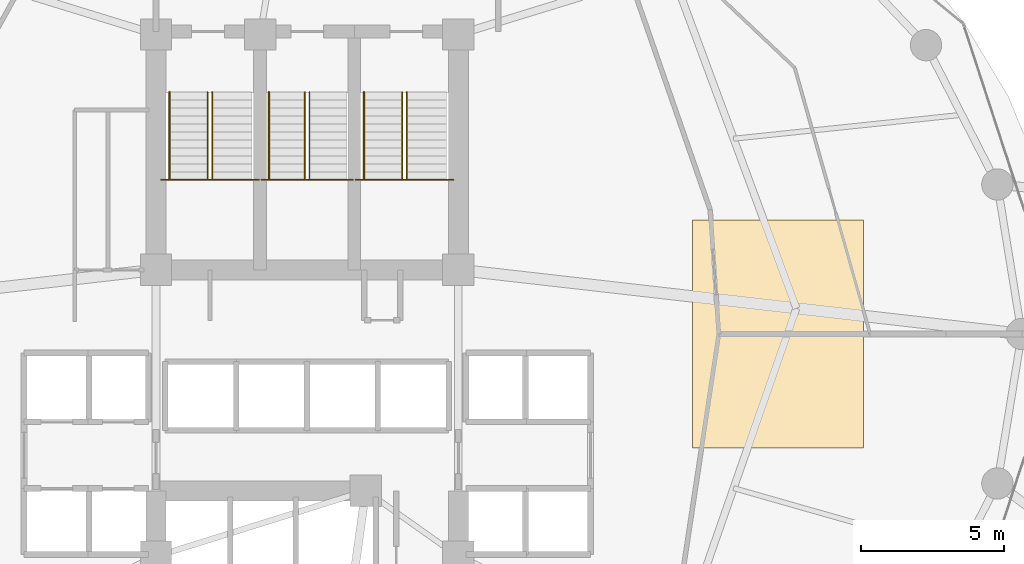
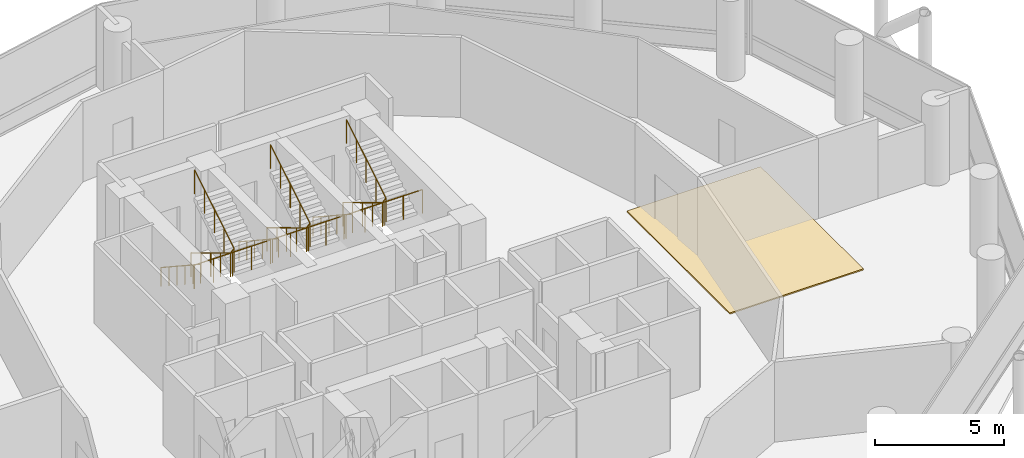
# One storey, part 24 of 24: 9 railings, 1 covering.
"""IFC4 building model written with IfcOpenShell, lengths in metres."""

from ifc_helpers import new_model, si_unit, direction, frame, origin, place, context, subcontext, project, spatial, polyline, outline, extrude, material, layer, layer_set, type_object, element, save


model = new_model("IFC4")

# Units and contexts
model_context = context("Model", 3, precision=1e-05, world=origin(), true_north=direction((0.0, 1.0)))
body_context = subcontext(model_context, "Body", "Model", "MODEL_VIEW")
ifc_project = project(units=[si_unit("LENGTHUNIT", "METRE"), si_unit("AREAUNIT", "SQUARE_METRE"), si_unit("VOLUMEUNIT", "CUBIC_METRE"), si_unit("PLANEANGLEUNIT", "RADIAN"), si_unit("MASSUNIT", "GRAM", prefix="KILO")], contexts=[model_context])

# Site, building, storey
site_placement = place(None, origin())
site = spatial("IfcSite", under=ifc_project, at=site_placement, CompositionType="ELEMENT")
building_placement = place(site_placement, origin())
building = spatial("IfcBuilding", under=site, at=building_placement, Name="Nuhasar Tower", CompositionType="ELEMENT")
storey_placement = place(building_placement, frame((0.0, 0.0, 69.60009765625)))
storey = spatial("IfcBuildingStorey", under=building, at=storey_placement, Name="L16", CompositionType="ELEMENT", Elevation=69.60009765625)

# Covering
ifc_material_1 = material(Name="Calcium Sulphate Tile", Category="gypsum")
ifc_layer = layer(ifc_material_1, 0.06005859375)
ifc_layer_set = layer_set([ifc_layer], Name="Calcium Sulphate Tile")
covering_type = type_object("IfcCoveringType", Name="COV-FLR-RAF120", PredefinedType="FLOORING", material=ifc_layer_set)
covering_placement = place(storey_placement, origin())
element("IfcCovering", 1, at=covering_placement, inside=storey, type_object=covering_type, Name="L16 Raised Access Floor Zone", PredefinedType="FLOORING", context=body_context, shape_type="SweptSolid", body=[
    extrude(outline(polyline([(52.5, 22.800048828125), (58.5, 22.800048828125), (58.5, 30.800048828125), (52.5, 30.800048828125), (52.5, 22.800048828125)])), origin(), (0.0, 0.0, 1.0), 0.059814453125),
])

# Railings
ifc_material_2 = material(Name="Steel S355", Category="steel")
railing_type_1 = type_object("IfcRailingType", Name="RLG-STAIR-GUARD-1150", PredefinedType="GUARDRAIL", material=ifc_material_2)
railing_1_placement = place(storey_placement, frame((33.8798828125, 32.205078125, 2.02490234375)))
element("IfcRailing", 2, at=railing_1_placement, inside=storey, type_object=railing_type_1, Name="L16 Stair ST-01 Guardrail LND", PredefinedType="GUARDRAIL", context=body_context, shape_type="SweptSolid", body=[
    extrude(outline(polyline([(0.024169921875, 0.0), (0.01708984375, 0.01708984375), (0.0, 0.024169921875), (-0.01708984375, 0.01708984375), (-0.024169921875, 0.0), (-0.01708984375, -0.01708984375), (0.0, -0.024169921875), (0.01708984375, -0.01708984375), (0.024169921875, 0.0)])), frame((0.0, 0.0, 1.1259765625), z_axis=(1.0, 0.0, 0.0), x_axis=(0.0, 1.0, 0.0)), (0.0, 0.0, 1.0), 3.420166015625),
    extrude(outline(polyline([(0.02099609375, 0.0), (0.014892578125, 0.014892578125), (0.0, 0.02099609375), (-0.014892578125, 0.014892578125), (-0.02099609375, 0.0), (-0.014892578125, -0.014892578125), (0.0, -0.02099609375), (0.014892578125, -0.014892578125), (0.02099609375, 0.0)])), origin(), (0.0, 0.0, 1.0), 1.101806640625),
    extrude(outline(polyline([(0.02099609375, 0.0), (0.014892578125, 0.014892578125), (0.0, 0.02099609375), (-0.014892578125, 0.014892578125), (-0.02099609375, 0.0), (-0.014892578125, -0.014892578125), (0.0, -0.02099609375), (0.014892578125, -0.014892578125), (0.02099609375, 0.0)])), frame((0.85498046875, 0.0, 0.0)), (0.0, 0.0, 1.0), 1.101806640625),
    extrude(outline(polyline([(0.02099609375, 0.0), (0.014892578125, 0.014892578125), (0.0, 0.02099609375), (-0.014892578125, 0.014892578125), (-0.02099609375, 0.0), (-0.014892578125, -0.014892578125), (0.0, -0.02099609375), (0.014892578125, -0.014892578125), (0.02099609375, 0.0)])), frame((1.7099609375, 0.0, 0.0)), (0.0, 0.0, 1.0), 1.101806640625),
    extrude(outline(polyline([(0.02099609375, 0.0), (0.014892578125, 0.014892578125), (0.0, 0.02099609375), (-0.014892578125, 0.014892578125), (-0.02099609375, 0.0), (-0.014892578125, -0.014892578125), (0.0, -0.02099609375), (0.014892578125, -0.014892578125), (0.02099609375, 0.0)])), frame((2.565185546875, 0.0, 0.0)), (0.0, 0.0, 1.0), 1.101806640625),
    extrude(outline(polyline([(0.02099609375, 0.0), (0.014892578125, 0.014892578125), (0.0, 0.02099609375), (-0.014892578125, 0.014892578125), (-0.02099609375, 0.0), (-0.014892578125, -0.014892578125), (0.0, -0.02099609375), (0.014892578125, -0.014892578125), (0.02099609375, 0.0)])), frame((3.420166015625, 0.0, 0.0)), (0.0, 0.0, 1.0), 1.101806640625),
])
railing_2_placement = place(storey_placement, frame((35.510009765625, 35.284912109375, 0.1689453125)))
element("IfcRailing", 3, at=railing_2_placement, inside=storey, type_object=railing_type_1, Name="L16 Stair ST-01 Guardrail SLT", PredefinedType="GUARDRAIL", context=body_context, shape_type="SweptSolid", body=[
    extrude(outline(polyline([(0.024169921875, 0.0), (0.01708984375, 0.01708984375), (0.0, 0.024169921875), (-0.01708984375, 0.01708984375), (-0.024169921875, 0.0), (-0.01708984375, -0.01708984375), (0.0, -0.024169921875), (0.01708984375, -0.01708984375), (0.024169921875, 0.0)])), frame((0.0, 0.0, 1.1259765625), z_axis=(0.0, -0.856502863198, 0.516142272377), x_axis=(1.0, 0.0, 0.0)), (0.0, 0.0, 1.0), 3.595703125),
    extrude(outline(polyline([(0.024169921875, 0.0), (0.01708984375, 0.01708984375), (0.0, 0.024169921875), (-0.01708984375, 0.01708984375), (-0.024169921875, 0.0), (-0.01708984375, -0.01708984375), (0.0, -0.024169921875), (0.01708984375, -0.01708984375), (0.024169921875, 0.0)])), frame((0.0, -3.079833984375, 2.98193359375), z_axis=(0.687424367727, 0.0, 0.726255973232), x_axis=(0.0, 1.0, 0.0)), (0.0, 0.0, 1.0), 0.232666015625),
    extrude(outline(polyline([(0.024169921875, 0.0), (0.01708984375, 0.01708984375), (0.0, 0.024169921875), (-0.01708984375, 0.01708984375), (-0.024169921875, 0.0), (-0.01708984375, -0.01708984375), (0.0, -0.024169921875), (0.01708984375, -0.01708984375), (0.024169921875, 0.0)])), frame((0.159912109375, -3.079833984375, 3.15087890625), z_axis=(0.0, 0.856502863198, 0.516142272377), x_axis=(-1.0, 0.0, 0.0)), (0.0, 0.0, 1.0), 3.595703125),
    extrude(outline(polyline([(0.02099609375, 0.0), (0.014892578125, 0.014892578125), (0.0, 0.02099609375), (-0.014892578125, 0.014892578125), (-0.02099609375, 0.0), (-0.014892578125, -0.014892578125), (0.0, -0.02099609375), (0.014892578125, -0.014892578125), (0.02099609375, 0.0)])), origin(), (0.0, 0.0, 1.0), 1.101806640625),
    extrude(outline(polyline([(0.02099609375, 0.0), (0.014892578125, 0.014892578125), (0.0, 0.02099609375), (-0.014892578125, 0.014892578125), (-0.02099609375, 0.0), (-0.014892578125, -0.014892578125), (0.0, -0.02099609375), (0.014892578125, -0.014892578125), (0.02099609375, 0.0)])), frame((0.0, -0.77001953125, 0.4638671875)), (0.0, 0.0, 1.0), 1.101806640625),
    extrude(outline(polyline([(0.02099609375, 0.0), (0.014892578125, 0.014892578125), (0.0, 0.02099609375), (-0.014892578125, 0.014892578125), (-0.02099609375, 0.0), (-0.014892578125, -0.014892578125), (0.0, -0.02099609375), (0.014892578125, -0.014892578125), (0.02099609375, 0.0)])), frame((0.0, -1.5400390625, 0.927978515625)), (0.0, 0.0, 1.0), 1.101806640625),
    extrude(outline(polyline([(0.02099609375, 0.0), (0.014892578125, 0.014892578125), (0.0, 0.02099609375), (-0.014892578125, 0.014892578125), (-0.02099609375, 0.0), (-0.014892578125, -0.014892578125), (0.0, -0.02099609375), (0.014892578125, -0.014892578125), (0.02099609375, 0.0)])), frame((0.0, -2.309814453125, 1.39208984375)), (0.0, 0.0, 1.0), 1.101806640625),
    extrude(outline(polyline([(0.02099609375, 0.0), (0.014892578125, 0.014892578125), (0.0, 0.02099609375), (-0.014892578125, 0.014892578125), (-0.02099609375, 0.0), (-0.014892578125, -0.014892578125), (0.0, -0.02099609375), (0.014892578125, -0.014892578125), (0.02099609375, 0.0)])), frame((0.0, -3.079833984375, 1.85595703125)), (0.0, 0.0, 1.0), 1.101806640625),
    extrude(outline(polyline([(0.02099609375, 0.0), (0.014892578125, 0.014892578125), (0.0, 0.02099609375), (-0.014892578125, 0.014892578125), (-0.02099609375, 0.0), (-0.014892578125, -0.014892578125), (0.0, -0.02099609375), (0.014892578125, -0.014892578125), (0.02099609375, 0.0)])), frame((0.159912109375, -3.079833984375, 2.02490234375)), (0.0, 0.0, 1.0), 1.101806640625),
    extrude(outline(polyline([(0.02099609375, 0.0), (0.014892578125, 0.014892578125), (0.0, 0.02099609375), (-0.014892578125, 0.014892578125), (-0.02099609375, 0.0), (-0.014892578125, -0.014892578125), (0.0, -0.02099609375), (0.014892578125, -0.014892578125), (0.02099609375, 0.0)])), frame((0.159912109375, -2.309814453125, 2.48876953125)), (0.0, 0.0, 1.0), 1.101806640625),
    extrude(outline(polyline([(0.02099609375, 0.0), (0.014892578125, 0.014892578125), (0.0, 0.02099609375), (-0.014892578125, 0.014892578125), (-0.02099609375, 0.0), (-0.014892578125, -0.014892578125), (0.0, -0.02099609375), (0.014892578125, -0.014892578125), (0.02099609375, 0.0)])), frame((0.159912109375, -1.5400390625, 2.952880859375)), (0.0, 0.0, 1.0), 1.101806640625),
    extrude(outline(polyline([(0.02099609375, 0.0), (0.014892578125, 0.014892578125), (0.0, 0.02099609375), (-0.014892578125, 0.014892578125), (-0.02099609375, 0.0), (-0.014892578125, -0.014892578125), (0.0, -0.02099609375), (0.014892578125, -0.014892578125), (0.02099609375, 0.0)])), frame((0.159912109375, -0.77001953125, 3.4169921875)), (0.0, 0.0, 1.0), 1.101806640625),
    extrude(outline(polyline([(0.02099609375, 0.0), (0.014892578125, 0.014892578125), (0.0, 0.02099609375), (-0.014892578125, 0.014892578125), (-0.02099609375, 0.0), (-0.014892578125, -0.014892578125), (0.0, -0.02099609375), (0.014892578125, -0.014892578125), (0.02099609375, 0.0)])), frame((0.159912109375, 0.0, 3.880859375)), (0.0, 0.0, 1.0), 1.101806640625),
])
railing_3_placement = place(storey_placement, frame((37.39990234375, 32.205078125, 2.02490234375)))
element("IfcRailing", 4, at=railing_3_placement, inside=storey, type_object=railing_type_1, Name="L16 Stair ST-03 Guardrail LND", PredefinedType="GUARDRAIL", context=body_context, shape_type="SweptSolid", body=[
    extrude(outline(polyline([(0.024169921875, 0.0), (0.01708984375, 0.01708984375), (0.0, 0.024169921875), (-0.01708984375, 0.01708984375), (-0.024169921875, 0.0), (-0.01708984375, -0.01708984375), (0.0, -0.024169921875), (0.01708984375, -0.01708984375), (0.024169921875, 0.0)])), frame((0.0, 0.0, 1.1259765625), z_axis=(1.0, 0.0, 0.0), x_axis=(0.0, 1.0, 0.0)), (0.0, 0.0, 1.0), 3.2001953125),
    extrude(outline(polyline([(0.02099609375, 0.0), (0.014892578125, 0.014892578125), (0.0, 0.02099609375), (-0.014892578125, 0.014892578125), (-0.02099609375, 0.0), (-0.014892578125, -0.014892578125), (0.0, -0.02099609375), (0.014892578125, -0.014892578125), (0.02099609375, 0.0)])), origin(), (0.0, 0.0, 1.0), 1.101806640625),
    extrude(outline(polyline([(0.02099609375, 0.0), (0.014892578125, 0.014892578125), (0.0, 0.02099609375), (-0.014892578125, 0.014892578125), (-0.02099609375, 0.0), (-0.014892578125, -0.014892578125), (0.0, -0.02099609375), (0.014892578125, -0.014892578125), (0.02099609375, 0.0)])), frame((0.800048828125, 0.0, 0.0)), (0.0, 0.0, 1.0), 1.101806640625),
    extrude(outline(polyline([(0.02099609375, 0.0), (0.014892578125, 0.014892578125), (0.0, 0.02099609375), (-0.014892578125, 0.014892578125), (-0.02099609375, 0.0), (-0.014892578125, -0.014892578125), (0.0, -0.02099609375), (0.014892578125, -0.014892578125), (0.02099609375, 0.0)])), frame((1.60009765625, 0.0, 0.0)), (0.0, 0.0, 1.0), 1.101806640625),
    extrude(outline(polyline([(0.02099609375, 0.0), (0.014892578125, 0.014892578125), (0.0, 0.02099609375), (-0.014892578125, 0.014892578125), (-0.02099609375, 0.0), (-0.014892578125, -0.014892578125), (0.0, -0.02099609375), (0.014892578125, -0.014892578125), (0.02099609375, 0.0)])), frame((2.400146484375, 0.0, 0.0)), (0.0, 0.0, 1.0), 1.101806640625),
    extrude(outline(polyline([(0.02099609375, 0.0), (0.014892578125, 0.014892578125), (0.0, 0.02099609375), (-0.014892578125, 0.014892578125), (-0.02099609375, 0.0), (-0.014892578125, -0.014892578125), (0.0, -0.02099609375), (0.014892578125, -0.014892578125), (0.02099609375, 0.0)])), frame((3.2001953125, 0.0, 0.0)), (0.0, 0.0, 1.0), 1.101806640625),
])
railing_4_placement = place(storey_placement, frame((38.919921875, 35.284912109375, 0.1689453125)))
element("IfcRailing", 5, at=railing_4_placement, inside=storey, type_object=railing_type_1, Name="L16 Stair ST-03 Guardrail SLT", PredefinedType="GUARDRAIL", context=body_context, shape_type="SweptSolid", body=[
    extrude(outline(polyline([(0.024169921875, 0.0), (0.01708984375, 0.01708984375), (0.0, 0.024169921875), (-0.01708984375, 0.01708984375), (-0.024169921875, 0.0), (-0.01708984375, -0.01708984375), (0.0, -0.024169921875), (0.01708984375, -0.01708984375), (0.024169921875, 0.0)])), frame((0.0, 0.0, 1.1259765625), z_axis=(0.0, -0.856502863198, 0.516142272377), x_axis=(1.0, 0.0, 0.0)), (0.0, 0.0, 1.0), 3.595703125),
    extrude(outline(polyline([(0.024169921875, 0.0), (0.01708984375, 0.01708984375), (0.0, 0.024169921875), (-0.01708984375, 0.01708984375), (-0.024169921875, 0.0), (-0.01708984375, -0.01708984375), (0.0, -0.024169921875), (0.01708984375, -0.01708984375), (0.024169921875, 0.0)])), frame((0.0, -3.079833984375, 2.98193359375), z_axis=(0.687977326998, 0.0, 0.725732180309), x_axis=(0.0, 1.0, 0.0)), (0.0, 0.0, 1.0), 0.23291015625),
    extrude(outline(polyline([(0.024169921875, 0.0), (0.01708984375, 0.01708984375), (0.0, 0.024169921875), (-0.01708984375, 0.01708984375), (-0.024169921875, 0.0), (-0.01708984375, -0.01708984375), (0.0, -0.024169921875), (0.01708984375, -0.01708984375), (0.024169921875, 0.0)])), frame((0.16015625, -3.079833984375, 3.15087890625), z_axis=(0.0, 0.856502863198, 0.516142272377), x_axis=(-1.0, 0.0, 0.0)), (0.0, 0.0, 1.0), 3.595703125),
    extrude(outline(polyline([(0.02099609375, 0.0), (0.014892578125, 0.014892578125), (0.0, 0.02099609375), (-0.014892578125, 0.014892578125), (-0.02099609375, 0.0), (-0.014892578125, -0.014892578125), (0.0, -0.02099609375), (0.014892578125, -0.014892578125), (0.02099609375, 0.0)])), origin(), (0.0, 0.0, 1.0), 1.101806640625),
    extrude(outline(polyline([(0.02099609375, 0.0), (0.014892578125, 0.014892578125), (0.0, 0.02099609375), (-0.014892578125, 0.014892578125), (-0.02099609375, 0.0), (-0.014892578125, -0.014892578125), (0.0, -0.02099609375), (0.014892578125, -0.014892578125), (0.02099609375, 0.0)])), frame((0.0, -0.77001953125, 0.4638671875)), (0.0, 0.0, 1.0), 1.101806640625),
    extrude(outline(polyline([(0.02099609375, 0.0), (0.014892578125, 0.014892578125), (0.0, 0.02099609375), (-0.014892578125, 0.014892578125), (-0.02099609375, 0.0), (-0.014892578125, -0.014892578125), (0.0, -0.02099609375), (0.014892578125, -0.014892578125), (0.02099609375, 0.0)])), frame((0.0, -1.5400390625, 0.927978515625)), (0.0, 0.0, 1.0), 1.101806640625),
    extrude(outline(polyline([(0.02099609375, 0.0), (0.014892578125, 0.014892578125), (0.0, 0.02099609375), (-0.014892578125, 0.014892578125), (-0.02099609375, 0.0), (-0.014892578125, -0.014892578125), (0.0, -0.02099609375), (0.014892578125, -0.014892578125), (0.02099609375, 0.0)])), frame((0.0, -2.309814453125, 1.39208984375)), (0.0, 0.0, 1.0), 1.101806640625),
    extrude(outline(polyline([(0.02099609375, 0.0), (0.014892578125, 0.014892578125), (0.0, 0.02099609375), (-0.014892578125, 0.014892578125), (-0.02099609375, 0.0), (-0.014892578125, -0.014892578125), (0.0, -0.02099609375), (0.014892578125, -0.014892578125), (0.02099609375, 0.0)])), frame((0.0, -3.079833984375, 1.85595703125)), (0.0, 0.0, 1.0), 1.101806640625),
    extrude(outline(polyline([(0.02099609375, 0.0), (0.014892578125, 0.014892578125), (0.0, 0.02099609375), (-0.014892578125, 0.014892578125), (-0.02099609375, 0.0), (-0.014892578125, -0.014892578125), (0.0, -0.02099609375), (0.014892578125, -0.014892578125), (0.02099609375, 0.0)])), frame((0.16015625, -3.079833984375, 2.02490234375)), (0.0, 0.0, 1.0), 1.101806640625),
    extrude(outline(polyline([(0.02099609375, 0.0), (0.014892578125, 0.014892578125), (0.0, 0.02099609375), (-0.014892578125, 0.014892578125), (-0.02099609375, 0.0), (-0.014892578125, -0.014892578125), (0.0, -0.02099609375), (0.014892578125, -0.014892578125), (0.02099609375, 0.0)])), frame((0.16015625, -2.309814453125, 2.48876953125)), (0.0, 0.0, 1.0), 1.101806640625),
    extrude(outline(polyline([(0.02099609375, 0.0), (0.014892578125, 0.014892578125), (0.0, 0.02099609375), (-0.014892578125, 0.014892578125), (-0.02099609375, 0.0), (-0.014892578125, -0.014892578125), (0.0, -0.02099609375), (0.014892578125, -0.014892578125), (0.02099609375, 0.0)])), frame((0.16015625, -1.5400390625, 2.952880859375)), (0.0, 0.0, 1.0), 1.101806640625),
    extrude(outline(polyline([(0.02099609375, 0.0), (0.014892578125, 0.014892578125), (0.0, 0.02099609375), (-0.014892578125, 0.014892578125), (-0.02099609375, 0.0), (-0.014892578125, -0.014892578125), (0.0, -0.02099609375), (0.014892578125, -0.014892578125), (0.02099609375, 0.0)])), frame((0.16015625, -0.77001953125, 3.4169921875)), (0.0, 0.0, 1.0), 1.101806640625),
    extrude(outline(polyline([(0.02099609375, 0.0), (0.014892578125, 0.014892578125), (0.0, 0.02099609375), (-0.014892578125, 0.014892578125), (-0.02099609375, 0.0), (-0.014892578125, -0.014892578125), (0.0, -0.02099609375), (0.014892578125, -0.014892578125), (0.02099609375, 0.0)])), frame((0.16015625, 0.0, 3.880859375)), (0.0, 0.0, 1.0), 1.101806640625),
])
railing_5_placement = place(storey_placement, frame((40.699951171875, 32.205078125, 2.02490234375)))
element("IfcRailing", 6, at=railing_5_placement, inside=storey, type_object=railing_type_1, Name="L16 Stair ST-02 Guardrail LND", PredefinedType="GUARDRAIL", context=body_context, shape_type="SweptSolid", body=[
    extrude(outline(polyline([(0.024169921875, 0.0), (0.01708984375, 0.01708984375), (0.0, 0.024169921875), (-0.01708984375, 0.01708984375), (-0.024169921875, 0.0), (-0.01708984375, -0.01708984375), (0.0, -0.024169921875), (0.01708984375, -0.01708984375), (0.024169921875, 0.0)])), frame((0.0, 0.0, 1.1259765625), z_axis=(1.0, 0.0, 0.0), x_axis=(0.0, 1.0, 0.0)), (0.0, 0.0, 1.0), 3.420166015625),
    extrude(outline(polyline([(0.02099609375, 0.0), (0.014892578125, 0.014892578125), (0.0, 0.02099609375), (-0.014892578125, 0.014892578125), (-0.02099609375, 0.0), (-0.014892578125, -0.014892578125), (0.0, -0.02099609375), (0.014892578125, -0.014892578125), (0.02099609375, 0.0)])), origin(), (0.0, 0.0, 1.0), 1.101806640625),
    extrude(outline(polyline([(0.02099609375, 0.0), (0.014892578125, 0.014892578125), (0.0, 0.02099609375), (-0.014892578125, 0.014892578125), (-0.02099609375, 0.0), (-0.014892578125, -0.014892578125), (0.0, -0.02099609375), (0.014892578125, -0.014892578125), (0.02099609375, 0.0)])), frame((0.85498046875, 0.0, 0.0)), (0.0, 0.0, 1.0), 1.101806640625),
    extrude(outline(polyline([(0.02099609375, 0.0), (0.014892578125, 0.014892578125), (0.0, 0.02099609375), (-0.014892578125, 0.014892578125), (-0.02099609375, 0.0), (-0.014892578125, -0.014892578125), (0.0, -0.02099609375), (0.014892578125, -0.014892578125), (0.02099609375, 0.0)])), frame((1.7099609375, 0.0, 0.0)), (0.0, 0.0, 1.0), 1.101806640625),
    extrude(outline(polyline([(0.02099609375, 0.0), (0.014892578125, 0.014892578125), (0.0, 0.02099609375), (-0.014892578125, 0.014892578125), (-0.02099609375, 0.0), (-0.014892578125, -0.014892578125), (0.0, -0.02099609375), (0.014892578125, -0.014892578125), (0.02099609375, 0.0)])), frame((2.565185546875, 0.0, 0.0)), (0.0, 0.0, 1.0), 1.101806640625),
    extrude(outline(polyline([(0.02099609375, 0.0), (0.014892578125, 0.014892578125), (0.0, 0.02099609375), (-0.014892578125, 0.014892578125), (-0.02099609375, 0.0), (-0.014892578125, -0.014892578125), (0.0, -0.02099609375), (0.014892578125, -0.014892578125), (0.02099609375, 0.0)])), frame((3.420166015625, 0.0, 0.0)), (0.0, 0.0, 1.0), 1.101806640625),
])
railing_6_placement = place(storey_placement, frame((42.330078125, 35.284912109375, 0.1689453125)))
element("IfcRailing", 7, at=railing_6_placement, inside=storey, type_object=railing_type_1, Name="L16 Stair ST-02 Guardrail SLT", PredefinedType="GUARDRAIL", context=body_context, shape_type="SweptSolid", body=[
    extrude(outline(polyline([(0.024169921875, 0.0), (0.01708984375, 0.01708984375), (0.0, 0.024169921875), (-0.01708984375, 0.01708984375), (-0.024169921875, 0.0), (-0.01708984375, -0.01708984375), (0.0, -0.024169921875), (0.01708984375, -0.01708984375), (0.024169921875, 0.0)])), frame((0.0, 0.0, 1.1259765625), z_axis=(0.0, -0.856502863198, 0.516142272377), x_axis=(1.0, 0.0, 0.0)), (0.0, 0.0, 1.0), 3.595703125),
    extrude(outline(polyline([(0.024169921875, 0.0), (0.01708984375, 0.01708984375), (0.0, 0.024169921875), (-0.01708984375, 0.01708984375), (-0.024169921875, 0.0), (-0.01708984375, -0.01708984375), (0.0, -0.024169921875), (0.01708984375, -0.01708984375), (0.024169921875, 0.0)])), frame((0.0, -3.079833984375, 2.98193359375), z_axis=(0.687424367727, 0.0, 0.726255973232), x_axis=(0.0, 1.0, 0.0)), (0.0, 0.0, 1.0), 0.232666015625),
    extrude(outline(polyline([(0.024169921875, 0.0), (0.01708984375, 0.01708984375), (0.0, 0.024169921875), (-0.01708984375, 0.01708984375), (-0.024169921875, 0.0), (-0.01708984375, -0.01708984375), (0.0, -0.024169921875), (0.01708984375, -0.01708984375), (0.024169921875, 0.0)])), frame((0.159912109375, -3.079833984375, 3.15087890625), z_axis=(0.0, 0.856502863198, 0.516142272377), x_axis=(-1.0, 0.0, 0.0)), (0.0, 0.0, 1.0), 3.595703125),
    extrude(outline(polyline([(0.02099609375, 0.0), (0.014892578125, 0.014892578125), (0.0, 0.02099609375), (-0.014892578125, 0.014892578125), (-0.02099609375, 0.0), (-0.014892578125, -0.014892578125), (0.0, -0.02099609375), (0.014892578125, -0.014892578125), (0.02099609375, 0.0)])), origin(), (0.0, 0.0, 1.0), 1.101806640625),
    extrude(outline(polyline([(0.02099609375, 0.0), (0.014892578125, 0.014892578125), (0.0, 0.02099609375), (-0.014892578125, 0.014892578125), (-0.02099609375, 0.0), (-0.014892578125, -0.014892578125), (0.0, -0.02099609375), (0.014892578125, -0.014892578125), (0.02099609375, 0.0)])), frame((0.0, -0.77001953125, 0.4638671875)), (0.0, 0.0, 1.0), 1.101806640625),
    extrude(outline(polyline([(0.02099609375, 0.0), (0.014892578125, 0.014892578125), (0.0, 0.02099609375), (-0.014892578125, 0.014892578125), (-0.02099609375, 0.0), (-0.014892578125, -0.014892578125), (0.0, -0.02099609375), (0.014892578125, -0.014892578125), (0.02099609375, 0.0)])), frame((0.0, -1.5400390625, 0.927978515625)), (0.0, 0.0, 1.0), 1.101806640625),
    extrude(outline(polyline([(0.02099609375, 0.0), (0.014892578125, 0.014892578125), (0.0, 0.02099609375), (-0.014892578125, 0.014892578125), (-0.02099609375, 0.0), (-0.014892578125, -0.014892578125), (0.0, -0.02099609375), (0.014892578125, -0.014892578125), (0.02099609375, 0.0)])), frame((0.0, -2.309814453125, 1.39208984375)), (0.0, 0.0, 1.0), 1.101806640625),
    extrude(outline(polyline([(0.02099609375, 0.0), (0.014892578125, 0.014892578125), (0.0, 0.02099609375), (-0.014892578125, 0.014892578125), (-0.02099609375, 0.0), (-0.014892578125, -0.014892578125), (0.0, -0.02099609375), (0.014892578125, -0.014892578125), (0.02099609375, 0.0)])), frame((0.0, -3.079833984375, 1.85595703125)), (0.0, 0.0, 1.0), 1.101806640625),
    extrude(outline(polyline([(0.02099609375, 0.0), (0.014892578125, 0.014892578125), (0.0, 0.02099609375), (-0.014892578125, 0.014892578125), (-0.02099609375, 0.0), (-0.014892578125, -0.014892578125), (0.0, -0.02099609375), (0.014892578125, -0.014892578125), (0.02099609375, 0.0)])), frame((0.159912109375, -3.079833984375, 2.02490234375)), (0.0, 0.0, 1.0), 1.101806640625),
    extrude(outline(polyline([(0.02099609375, 0.0), (0.014892578125, 0.014892578125), (0.0, 0.02099609375), (-0.014892578125, 0.014892578125), (-0.02099609375, 0.0), (-0.014892578125, -0.014892578125), (0.0, -0.02099609375), (0.014892578125, -0.014892578125), (0.02099609375, 0.0)])), frame((0.159912109375, -2.309814453125, 2.48876953125)), (0.0, 0.0, 1.0), 1.101806640625),
    extrude(outline(polyline([(0.02099609375, 0.0), (0.014892578125, 0.014892578125), (0.0, 0.02099609375), (-0.014892578125, 0.014892578125), (-0.02099609375, 0.0), (-0.014892578125, -0.014892578125), (0.0, -0.02099609375), (0.014892578125, -0.014892578125), (0.02099609375, 0.0)])), frame((0.159912109375, -1.5400390625, 2.952880859375)), (0.0, 0.0, 1.0), 1.101806640625),
    extrude(outline(polyline([(0.02099609375, 0.0), (0.014892578125, 0.014892578125), (0.0, 0.02099609375), (-0.014892578125, 0.014892578125), (-0.02099609375, 0.0), (-0.014892578125, -0.014892578125), (0.0, -0.02099609375), (0.014892578125, -0.014892578125), (0.02099609375, 0.0)])), frame((0.159912109375, -0.77001953125, 3.4169921875)), (0.0, 0.0, 1.0), 1.101806640625),
    extrude(outline(polyline([(0.02099609375, 0.0), (0.014892578125, 0.014892578125), (0.0, 0.02099609375), (-0.014892578125, 0.014892578125), (-0.02099609375, 0.0), (-0.014892578125, -0.014892578125), (0.0, -0.02099609375), (0.014892578125, -0.014892578125), (0.02099609375, 0.0)])), frame((0.159912109375, 0.0, 3.880859375)), (0.0, 0.0, 1.0), 1.101806640625),
])
ifc_material_3 = material(Name="Stainless Steel 316L", Category="steel")
railing_type_2 = type_object("IfcRailingType", Name="RLG-STAIR-HAND-920", PredefinedType="HANDRAIL", material=ifc_material_3)
railing_7_placement = place(storey_placement, frame((34.169921875, 35.284912109375, 0.1689453125)))
element("IfcRailing", 8, at=railing_7_placement, inside=storey, type_object=railing_type_2, Name="L16 Stair ST-01 Handrail HND1", PredefinedType="HANDRAIL", context=body_context, shape_type="SweptSolid", body=[
    extrude(outline(polyline([(0.024169921875, 0.0), (0.01708984375, 0.01708984375), (0.0, 0.024169921875), (-0.01708984375, 0.01708984375), (-0.024169921875, 0.0), (-0.01708984375, -0.01708984375), (0.0, -0.024169921875), (0.01708984375, -0.01708984375), (0.024169921875, 0.0)])), frame((0.0, 0.0, 0.89599609375), z_axis=(0.0, -0.83557951683, 0.54936952141), x_axis=(1.0, 0.0, 0.0)), (0.0, 0.0, 1.0), 3.685791015625),
    extrude(outline(polyline([(0.02099609375, 0.0), (0.014892578125, 0.014892578125), (0.0, 0.02099609375), (-0.014892578125, 0.014892578125), (-0.02099609375, 0.0), (-0.014892578125, -0.014892578125), (0.0, -0.02099609375), (0.014892578125, -0.014892578125), (0.02099609375, 0.0)])), origin(), (0.0, 0.0, 1.0), 0.871826171875),
    extrude(outline(polyline([(0.02099609375, 0.0), (0.014892578125, 0.014892578125), (0.0, 0.02099609375), (-0.014892578125, 0.014892578125), (-0.02099609375, 0.0), (-0.014892578125, -0.014892578125), (0.0, -0.02099609375), (0.014892578125, -0.014892578125), (0.02099609375, 0.0)])), frame((0.0, -0.615966796875, 0.405029296875)), (0.0, 0.0, 1.0), 0.871826171875),
    extrude(outline(polyline([(0.02099609375, 0.0), (0.014892578125, 0.014892578125), (0.0, 0.02099609375), (-0.014892578125, 0.014892578125), (-0.02099609375, 0.0), (-0.014892578125, -0.014892578125), (0.0, -0.02099609375), (0.014892578125, -0.014892578125), (0.02099609375, 0.0)])), frame((0.0, -1.23193359375, 0.81005859375)), (0.0, 0.0, 1.0), 0.871826171875),
    extrude(outline(polyline([(0.02099609375, 0.0), (0.014892578125, 0.014892578125), (0.0, 0.02099609375), (-0.014892578125, 0.014892578125), (-0.02099609375, 0.0), (-0.014892578125, -0.014892578125), (0.0, -0.02099609375), (0.014892578125, -0.014892578125), (0.02099609375, 0.0)])), frame((0.0, -1.847900390625, 1.21484375)), (0.0, 0.0, 1.0), 0.871826171875),
    extrude(outline(polyline([(0.02099609375, 0.0), (0.014892578125, 0.014892578125), (0.0, 0.02099609375), (-0.014892578125, 0.014892578125), (-0.02099609375, 0.0), (-0.014892578125, -0.014892578125), (0.0, -0.02099609375), (0.014892578125, -0.014892578125), (0.02099609375, 0.0)])), frame((0.0, -2.4638671875, 1.619873046875)), (0.0, 0.0, 1.0), 0.871826171875),
    extrude(outline(polyline([(0.02099609375, 0.0), (0.014892578125, 0.014892578125), (0.0, 0.02099609375), (-0.014892578125, 0.014892578125), (-0.02099609375, 0.0), (-0.014892578125, -0.014892578125), (0.0, -0.02099609375), (0.014892578125, -0.014892578125), (0.02099609375, 0.0)])), frame((0.0, -3.079833984375, 2.02490234375)), (0.0, 0.0, 1.0), 0.871826171875),
])
railing_8_placement = place(storey_placement, frame((37.659912109375, 35.284912109375, 0.1689453125)))
element("IfcRailing", 9, at=railing_8_placement, inside=storey, type_object=railing_type_2, Name="L16 Stair ST-03 Handrail HND1", PredefinedType="HANDRAIL", context=body_context, shape_type="SweptSolid", body=[
    extrude(outline(polyline([(0.024169921875, 0.0), (0.01708984375, 0.01708984375), (0.0, 0.024169921875), (-0.01708984375, 0.01708984375), (-0.024169921875, 0.0), (-0.01708984375, -0.01708984375), (0.0, -0.024169921875), (0.01708984375, -0.01708984375), (0.024169921875, 0.0)])), frame((0.0, 0.0, 0.89599609375), z_axis=(0.0, -0.83557951683, 0.54936952141), x_axis=(1.0, 0.0, 0.0)), (0.0, 0.0, 1.0), 3.685791015625),
    extrude(outline(polyline([(0.02099609375, 0.0), (0.014892578125, 0.014892578125), (0.0, 0.02099609375), (-0.014892578125, 0.014892578125), (-0.02099609375, 0.0), (-0.014892578125, -0.014892578125), (0.0, -0.02099609375), (0.014892578125, -0.014892578125), (0.02099609375, 0.0)])), origin(), (0.0, 0.0, 1.0), 0.871826171875),
    extrude(outline(polyline([(0.02099609375, 0.0), (0.014892578125, 0.014892578125), (0.0, 0.02099609375), (-0.014892578125, 0.014892578125), (-0.02099609375, 0.0), (-0.014892578125, -0.014892578125), (0.0, -0.02099609375), (0.014892578125, -0.014892578125), (0.02099609375, 0.0)])), frame((0.0, -0.615966796875, 0.405029296875)), (0.0, 0.0, 1.0), 0.871826171875),
    extrude(outline(polyline([(0.02099609375, 0.0), (0.014892578125, 0.014892578125), (0.0, 0.02099609375), (-0.014892578125, 0.014892578125), (-0.02099609375, 0.0), (-0.014892578125, -0.014892578125), (0.0, -0.02099609375), (0.014892578125, -0.014892578125), (0.02099609375, 0.0)])), frame((0.0, -1.23193359375, 0.81005859375)), (0.0, 0.0, 1.0), 0.871826171875),
    extrude(outline(polyline([(0.02099609375, 0.0), (0.014892578125, 0.014892578125), (0.0, 0.02099609375), (-0.014892578125, 0.014892578125), (-0.02099609375, 0.0), (-0.014892578125, -0.014892578125), (0.0, -0.02099609375), (0.014892578125, -0.014892578125), (0.02099609375, 0.0)])), frame((0.0, -1.847900390625, 1.21484375)), (0.0, 0.0, 1.0), 0.871826171875),
    extrude(outline(polyline([(0.02099609375, 0.0), (0.014892578125, 0.014892578125), (0.0, 0.02099609375), (-0.014892578125, 0.014892578125), (-0.02099609375, 0.0), (-0.014892578125, -0.014892578125), (0.0, -0.02099609375), (0.014892578125, -0.014892578125), (0.02099609375, 0.0)])), frame((0.0, -2.4638671875, 1.619873046875)), (0.0, 0.0, 1.0), 0.871826171875),
    extrude(outline(polyline([(0.02099609375, 0.0), (0.014892578125, 0.014892578125), (0.0, 0.02099609375), (-0.014892578125, 0.014892578125), (-0.02099609375, 0.0), (-0.014892578125, -0.014892578125), (0.0, -0.02099609375), (0.014892578125, -0.014892578125), (0.02099609375, 0.0)])), frame((0.0, -3.079833984375, 2.02490234375)), (0.0, 0.0, 1.0), 0.871826171875),
])
railing_9_placement = place(storey_placement, frame((40.989990234375, 35.284912109375, 0.1689453125)))
element("IfcRailing", 10, at=railing_9_placement, inside=storey, type_object=railing_type_2, Name="L16 Stair ST-02 Handrail HND1", PredefinedType="HANDRAIL", context=body_context, shape_type="SweptSolid", body=[
    extrude(outline(polyline([(0.024169921875, 0.0), (0.01708984375, 0.01708984375), (0.0, 0.024169921875), (-0.01708984375, 0.01708984375), (-0.024169921875, 0.0), (-0.01708984375, -0.01708984375), (0.0, -0.024169921875), (0.01708984375, -0.01708984375), (0.024169921875, 0.0)])), frame((0.0, 0.0, 0.89599609375), z_axis=(0.0, -0.83557951683, 0.54936952141), x_axis=(1.0, 0.0, 0.0)), (0.0, 0.0, 1.0), 3.685791015625),
    extrude(outline(polyline([(0.02099609375, 0.0), (0.014892578125, 0.014892578125), (0.0, 0.02099609375), (-0.014892578125, 0.014892578125), (-0.02099609375, 0.0), (-0.014892578125, -0.014892578125), (0.0, -0.02099609375), (0.014892578125, -0.014892578125), (0.02099609375, 0.0)])), origin(), (0.0, 0.0, 1.0), 0.871826171875),
    extrude(outline(polyline([(0.02099609375, 0.0), (0.014892578125, 0.014892578125), (0.0, 0.02099609375), (-0.014892578125, 0.014892578125), (-0.02099609375, 0.0), (-0.014892578125, -0.014892578125), (0.0, -0.02099609375), (0.014892578125, -0.014892578125), (0.02099609375, 0.0)])), frame((0.0, -0.615966796875, 0.405029296875)), (0.0, 0.0, 1.0), 0.871826171875),
    extrude(outline(polyline([(0.02099609375, 0.0), (0.014892578125, 0.014892578125), (0.0, 0.02099609375), (-0.014892578125, 0.014892578125), (-0.02099609375, 0.0), (-0.014892578125, -0.014892578125), (0.0, -0.02099609375), (0.014892578125, -0.014892578125), (0.02099609375, 0.0)])), frame((0.0, -1.23193359375, 0.81005859375)), (0.0, 0.0, 1.0), 0.871826171875),
    extrude(outline(polyline([(0.02099609375, 0.0), (0.014892578125, 0.014892578125), (0.0, 0.02099609375), (-0.014892578125, 0.014892578125), (-0.02099609375, 0.0), (-0.014892578125, -0.014892578125), (0.0, -0.02099609375), (0.014892578125, -0.014892578125), (0.02099609375, 0.0)])), frame((0.0, -1.847900390625, 1.21484375)), (0.0, 0.0, 1.0), 0.871826171875),
    extrude(outline(polyline([(0.02099609375, 0.0), (0.014892578125, 0.014892578125), (0.0, 0.02099609375), (-0.014892578125, 0.014892578125), (-0.02099609375, 0.0), (-0.014892578125, -0.014892578125), (0.0, -0.02099609375), (0.014892578125, -0.014892578125), (0.02099609375, 0.0)])), frame((0.0, -2.4638671875, 1.619873046875)), (0.0, 0.0, 1.0), 0.871826171875),
    extrude(outline(polyline([(0.02099609375, 0.0), (0.014892578125, 0.014892578125), (0.0, 0.02099609375), (-0.014892578125, 0.014892578125), (-0.02099609375, 0.0), (-0.014892578125, -0.014892578125), (0.0, -0.02099609375), (0.014892578125, -0.014892578125), (0.02099609375, 0.0)])), frame((0.0, -3.079833984375, 2.02490234375)), (0.0, 0.0, 1.0), 0.871826171875),
])

save(model, "model.ifc")
